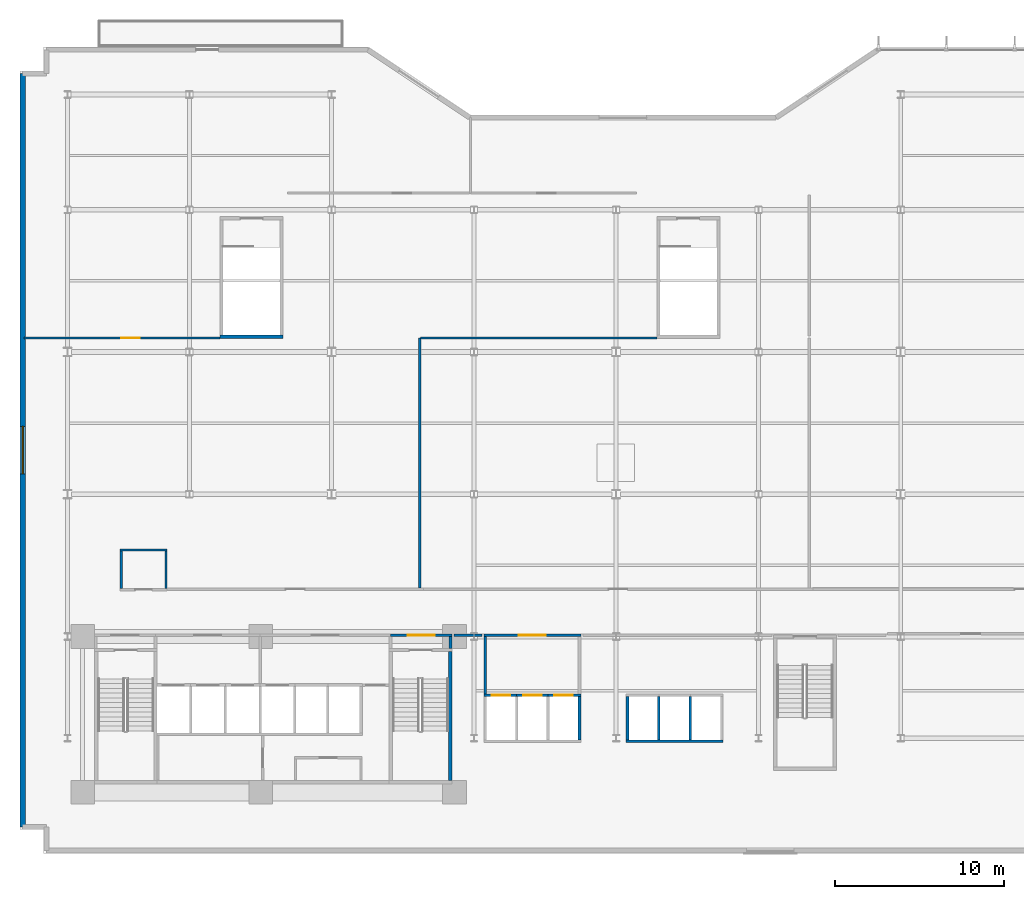
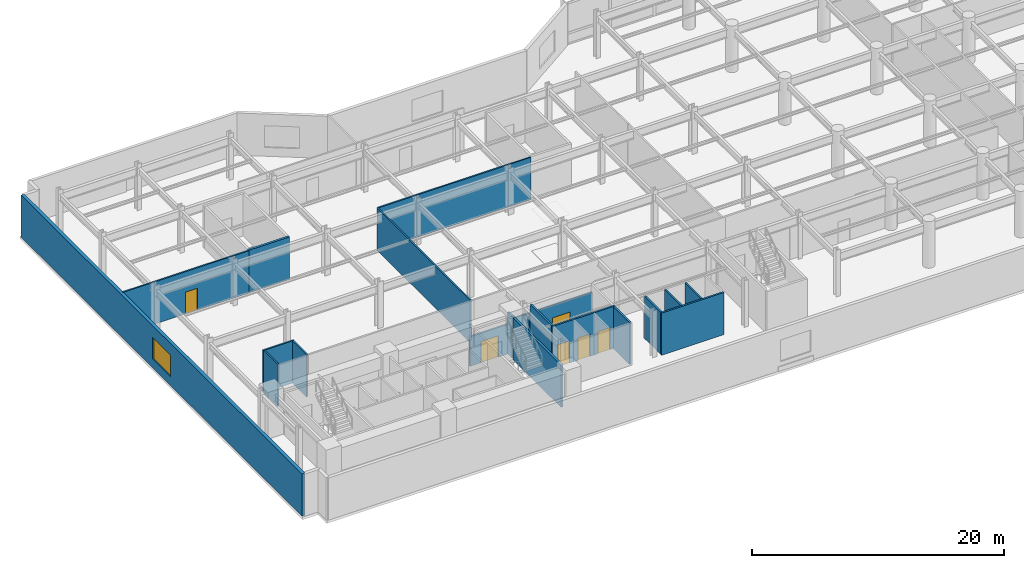
# One storey, part 15 of 23: 22 walls, 6 doors, 1 window, 7 openings.
"""IFC4 building model written with IfcOpenShell, lengths in metres."""

from ifc_helpers import new_model, si_unit, direction, frame, frame_2d, origin, place, context, subcontext, project, spatial, rectangle, extrude, material, layer, layer_set, type_object, element, fill, save


model = new_model("IFC4")

# Units and contexts
model_context = context("Model", 3, precision=1e-05, world=origin(), true_north=direction((0.0, 1.0)))
body_context = subcontext(model_context, "Body", "Model", "MODEL_VIEW")
ifc_project = project(units=[si_unit("LENGTHUNIT", "METRE"), si_unit("AREAUNIT", "SQUARE_METRE"), si_unit("VOLUMEUNIT", "CUBIC_METRE"), si_unit("PLANEANGLEUNIT", "RADIAN"), si_unit("MASSUNIT", "GRAM", prefix="KILO")], contexts=[model_context])

# Site, building, storey
site_placement = place(None, origin())
site = spatial("IfcSite", under=ifc_project, at=site_placement, CompositionType="ELEMENT")
building_placement = place(site_placement, origin())
building = spatial("IfcBuilding", under=site, at=building_placement, Name="Varnakote Quay Hospital", CompositionType="ELEMENT")
storey_placement = place(building_placement, frame((0.0, 0.0, 18.0)))
storey = spatial("IfcBuildingStorey", under=building, at=storey_placement, Name="L04", CompositionType="ELEMENT", Elevation=18.0)

# Wall, opening, door
ifc_material_1 = material(Name="Fire-rated acoustic gypsum stud wall", Category="gypsum")
ifc_layer_1 = layer(ifc_material_1, 0.159912109375)
ifc_layer_set_1 = layer_set([ifc_layer_1], Name="Fire-rated acoustic gypsum stud wall")
wall_type_1 = type_object("IfcWallType", Name="WL-COMP-160", PredefinedType="PARTITIONING", material=ifc_layer_set_1)
wall_1_placement = place(storey_placement, frame((20.280029296875, 12.080078125, 0.0), z_axis=(0.0, 0.0, 1.0), x_axis=(1.0, 0.0, 0.0)))
wall_1 = element("IfcWall", 1, at=wall_1_placement, inside=storey, type_object=wall_type_1, Name="L04 East Stair Vestibule Smoke Wall", PredefinedType="PARTITIONING", context=body_context, shape_type="SweptSolid", body=[
    extrude(rectangle(XDim=3.619873046875, YDim=0.159912109375, at=frame_2d((1.81005859375, 0.0))), origin(), (0.0, 0.0, 1.0), 2.85498046875),
])
opening_1_placement = place(wall_1_placement, frame((1.010009765625, 0.0, 0.0)))
opening_1 = element("IfcOpeningElement", 2, at=opening_1_placement, cuts=wall_1, Name="Opening D-ST2L-L04", PredefinedType="OPENING", context=body_context, shape_type="SweptSolid", body=[
    extrude(rectangle(XDim=1.60009765625, YDim=2.050048828125, at=frame_2d((0.800048828125, 1.02490234375))), frame((0.0, 0.08984375, 0.0), z_axis=(0.0, -1.0, 0.0), x_axis=(1.0, 0.0, 0.0)), (0.0, 0.0, 1.0), 0.179931640625),
])
ifc_material_2 = material(Name="Fire-rated double smoke lobby door")
door_type_1 = type_object("IfcDoorType", Name="DR-LOBBY-FD60S-1600x2150", OperationType="NOTDEFINED", PredefinedType="DOOR", material=ifc_material_2)
door_1_placement = place(opening_1_placement, origin())
door_1 = element("IfcDoor", 3, at=door_1_placement, inside=storey, type_object=door_type_1, Name="L04 East Stair Vestibule Smoke Door", OperationType="DOUBLE_DOOR_SINGLE_SWING", OverallHeight=2.050048828125, OverallWidth=1.60009765625, PredefinedType="DOOR", context=body_context, shape_type="SweptSolid", body=[
    extrude(rectangle(XDim=1.60009765625, YDim=2.050048828125, at=frame_2d((0.800048828125, 1.02490234375))), frame((0.0, 0.02490234375, 0.0), z_axis=(0.0, -1.0, 0.0), x_axis=(1.0, 0.0, 0.0)), (0.0, 0.0, 1.0), 0.050048828125),
])
fill(opening_1, door_1)

# Walls
wall_2_placement = place(storey_placement, frame((23.820068359375, 11.300048828125, 0.0), z_axis=(0.0, 0.0, 1.0), x_axis=(0.0, 1.0, 0.0)))
element("IfcWall", 4, at=wall_2_placement, inside=storey, type_object=wall_type_1, Name="L04 East Stair Vestibule East Wall", PredefinedType="PARTITIONING", context=body_context, shape_type="SweptSolid", body=[
    extrude(rectangle(XDim=0.699951171875, YDim=0.159912109375, at=frame_2d((0.35009765625, 0.0))), origin(), (0.0, 0.0, 1.0), 4.080078125),
])
wall_3_placement = place(storey_placement, frame((25.8701171875, 8.610107421875, 0.0), z_axis=(0.0, 0.0, 1.0), x_axis=(0.0, 1.0, 0.0)))
element("IfcWall", 5, at=wall_3_placement, inside=storey, type_object=wall_type_1, Name="L04 Low-Rise Lift Lobby West Wall", PredefinedType="PARTITIONING", context=body_context, shape_type="SweptSolid", body=[
    extrude(rectangle(XDim=3.389892578125, YDim=0.159912109375, at=frame_2d((1.69482421875, 0.0))), origin(), (0.0, 0.0, 1.0), 4.080078125),
])

# Wall, opening, door
wall_4_placement = place(storey_placement, frame((25.7900390625, 12.080078125, 0.0), z_axis=(0.0, 0.0, 1.0), x_axis=(1.0, 0.0, 0.0)))
wall_4 = element("IfcWall", 6, at=wall_4_placement, inside=storey, type_object=wall_type_1, Name="L04 Low-Rise Lift Lobby North Wall", PredefinedType="PARTITIONING", context=body_context, shape_type="SweptSolid", body=[
    extrude(rectangle(XDim=5.719970703125, YDim=0.159912109375, at=frame_2d((2.85986328125, 0.0))), origin(), (0.0, 0.0, 1.0), 3.2548828125),
])
opening_2_placement = place(wall_4_placement, frame((2.06005859375, 0.0, 0.0)))
opening_2 = element("IfcOpeningElement", 7, at=opening_2_placement, cuts=wall_4, Name="Opening D-PLL-L04", PredefinedType="OPENING", context=body_context, shape_type="SweptSolid", body=[
    extrude(rectangle(XDim=1.60009765625, YDim=2.050048828125, at=frame_2d((0.800048828125, 1.02490234375))), frame((0.0, 0.08984375, 0.0), z_axis=(0.0, -1.0, 0.0), x_axis=(1.0, 0.0, 0.0)), (0.0, 0.0, 1.0), 0.179931640625),
])
door_2_placement = place(opening_2_placement, origin())
door_2 = element("IfcDoor", 8, at=door_2_placement, inside=storey, type_object=door_type_1, Name="L04 Low-Rise Passenger Concourse Vestibule Door", OperationType="DOUBLE_DOOR_SINGLE_SWING", OverallHeight=2.050048828125, OverallWidth=1.60009765625, PredefinedType="DOOR", context=body_context, shape_type="SweptSolid", body=[
    extrude(rectangle(XDim=1.60009765625, YDim=2.050048828125, at=frame_2d((0.800048828125, 1.02490234375))), frame((0.0, 0.02490234375, 0.0), z_axis=(0.0, -1.0, 0.0), x_axis=(1.0, 0.0, 0.0)), (0.0, 0.0, 1.0), 0.050048828125),
])
fill(opening_2, door_2)

# Wall
wall_5_placement = place(storey_placement, frame((24.02001953125, 12.080078125, 0.0), z_axis=(0.0, 0.0, 1.0), x_axis=(1.0, 0.0, 0.0)))
element("IfcWall", 9, at=wall_5_placement, inside=storey, type_object=wall_type_1, Name="L04 Corridor South Gap Wall", PredefinedType="PARTITIONING", context=body_context, shape_type="SweptSolid", body=[
    extrude(rectangle(XDim=1.64990234375, YDim=0.159912109375, at=frame_2d((0.824951171875, 0.0))), origin(), (0.0, 0.0, 1.0), 3.2548828125),
])

# Wall, opening, window
ifc_material_3 = material(Name="Precast concrete N50 (f'c 50 MPa)", Category="concrete")
ifc_layer_2 = layer(ifc_material_3, 0.300048828125)
ifc_layer_set_2 = layer_set([ifc_layer_2], Name="Precast concrete N50 (f'c 50 MPa)")
wall_type_2 = type_object("IfcWallType", Name="WL-EXT-BRICK-300", PredefinedType="STANDARD", material=ifc_layer_set_2)
wall_6_placement = place(storey_placement, frame((-1.43994140625, 45.239990234375, 0.0), z_axis=(0.0, 0.0, 1.0), x_axis=(0.0, -1.0, 0.0)))
wall_6 = element("IfcWall", 10, at=wall_6_placement, inside=storey, type_object=wall_type_2, Name="L04 Brick-Faced Precast Exterior Wall", PredefinedType="STANDARD", context=body_context, shape_type="SweptSolid", body=[
    extrude(rectangle(XDim=44.47998046875, YDim=0.300048828125, at=frame_2d((22.239990234375, 0.0))), origin(), (0.0, 0.0, 1.0), 4.080078125),
])
opening_3_placement = place(wall_6_placement, frame((20.840087890625, 0.0, 0.85009765625)))
opening_3 = element("IfcOpeningElement", 11, at=opening_3_placement, cuts=wall_6, Name="Opening WN-0029", PredefinedType="OPENING", context=body_context, shape_type="SweptSolid", body=[
    extrude(rectangle(XDim=2.800048828125, YDim=2.10009765625, at=frame_2d((1.39990234375, 1.050048828125))), frame((0.0, 0.159912109375, 0.0), z_axis=(0.0, -1.0, 0.0), x_axis=(1.0, 0.0, 0.0)), (0.0, 0.0, 1.0), 0.320068359375),
])
ifc_material_4 = material(Name="Double-glazed acoustic laminated glass", Category="glass")
window_type = type_object("IfcWindowType", Name="WIN-POD-2800x2100", PartitioningType="SINGLE_PANEL", PredefinedType="WINDOW", material=ifc_material_4)
window_placement = place(opening_3_placement, origin())
window = element("IfcWindow", 12, at=window_placement, inside=storey, type_object=window_type, Name="L04 Solar-Control Clinical Window", OverallHeight=2.10009765625, OverallWidth=2.800048828125, PartitioningType="SINGLE_PANEL", PredefinedType="WINDOW", context=body_context, shape_type="SweptSolid", body=[
    extrude(rectangle(XDim=2.800048828125, YDim=2.10009765625, at=frame_2d((1.39990234375, 1.050048828125))), frame((0.0, 0.030029296875, 0.0), z_axis=(0.0, -1.0, 0.0), x_axis=(1.0, 0.0, 0.0)), (0.0, 0.0, 1.0), 0.06005859375),
])
fill(opening_3, window)

# Walls
ifc_material_5 = material(Name="Concrete N50 (f'c 50 MPa)", Category="concrete")
ifc_layer_3 = layer(ifc_material_5, 0.14990234375)
ifc_layer_set_3 = layer_set([ifc_layer_3], Name="Concrete N50 (f'c 50 MPa)")
wall_type_3 = type_object("IfcWallType", Name="WL-SHAFT-N50-150", PredefinedType="SHEAR", material=ifc_layer_set_3)
for number, where, z_axis, x_axis, name in (
    (13, (36.125, 5.89990234375, 0.0), (0.0, 0.0, 1.0), (0.0, 1.0, 0.0), "L04 LF-PM1 Hoistway Divider Wall"),
    (14, (37.97509765625, 5.89990234375, 0.0), (0.0, 0.0, 1.0), (0.0, 1.0, 0.0), "L04 LF-PM2 Hoistway Divider Wall"),
):
    element("IfcWall", number, at=place(storey_placement, frame(where, z_axis=z_axis, x_axis=x_axis)), inside=storey, type_object=wall_type_3, Name=name, PredefinedType="SHEAR", context=body_context, shape_type="SweptSolid", body=[
        extrude(rectangle(XDim=2.550048828125, YDim=0.14990234375, at=frame_2d((1.27490234375, 0.0))), origin(), (0.0, 0.0, 1.0), 4.080078125),
    ])
ifc_material_6 = material(Name="Concrete N50 (f'c 50 MPa)", Category="concrete")
ifc_layer_4 = layer(ifc_material_6, 0.159912109375)
ifc_layer_set_4 = layer_set([ifc_layer_4], Name="Concrete N50 (f'c 50 MPa)")
wall_type_4 = type_object("IfcWallType", Name="WL-SHAFT-N50-160", PredefinedType="SHEAR", material=ifc_layer_set_4)
wall_7_placement = place(storey_placement, frame((31.429931640625, 5.89990234375, 0.0), z_axis=(0.0, 0.0, 1.0), x_axis=(0.0, 1.0, 0.0)))
element("IfcWall", 15, at=wall_7_placement, inside=storey, type_object=wall_type_4, Name="L04 LOW Lift Bank East Shear Wall", PredefinedType="SHEAR", context=body_context, shape_type="SweptSolid", body=[
    extrude(rectangle(XDim=2.550048828125, YDim=0.159912109375, at=frame_2d((1.27490234375, 0.0))), origin(), (0.0, 0.0, 1.0), 4.080078125),
])

# Wall, opening, door
wall_8_placement = place(storey_placement, frame((25.7900390625, 8.530029296875, 0.0), z_axis=(0.0, 0.0, 1.0), x_axis=(1.0, 0.0, 0.0)))
wall_8 = element("IfcWall", 16, at=wall_8_placement, inside=storey, type_object=wall_type_4, Name="L04 LF-PL1 Hoistway Front Wall", PredefinedType="SHEAR", context=body_context, shape_type="SweptSolid", body=[
    extrude(rectangle(XDim=1.93505859375, YDim=0.159912109375, at=frame_2d((0.967529296875, 0.0))), origin(), (0.0, 0.0, 1.0), 4.080078125),
])
opening_4_placement = place(wall_8_placement, frame((0.4599609375, 0.0, 0.0)))
opening_4 = element("IfcOpeningElement", 17, at=opening_4_placement, cuts=wall_8, Name="Opening LD-PL1-L04", PredefinedType="OPENING", context=body_context, shape_type="SweptSolid", body=[
    extrude(rectangle(XDim=1.10009765625, YDim=2.14990234375, at=frame_2d((0.550048828125, 1.074951171875))), frame((0.0, 0.08984375, 0.0), z_axis=(0.0, -1.0, 0.0), x_axis=(1.0, 0.0, 0.0)), (0.0, 0.0, 1.0), 0.179931640625),
])
ifc_material_7 = material(Name="Brushed bronze lift landing sliding door")
door_type_2 = type_object("IfcDoorType", Name="DR-LIFT-LD-1100x2150", OperationType="NOTDEFINED", PredefinedType="DOOR", material=ifc_material_7)
door_3_placement = place(opening_4_placement, origin())
door_3 = element("IfcDoor", 18, at=door_3_placement, inside=storey, type_object=door_type_2, Name="L04 LF-PL1 Lift Landing Sliding Door", OperationType="SLIDING_TO_LEFT", OverallHeight=2.14990234375, OverallWidth=1.10009765625, PredefinedType="DOOR", context=body_context, shape_type="SweptSolid", body=[
    extrude(rectangle(XDim=1.10009765625, YDim=2.14990234375, at=frame_2d((0.550048828125, 1.074951171875))), frame((0.0, 0.02490234375, 0.0), z_axis=(0.0, -1.0, 0.0), x_axis=(1.0, 0.0, 0.0)), (0.0, 0.0, 1.0), 0.050048828125),
])
fill(opening_4, door_3)

wall_9_placement = place(storey_placement, frame((27.72509765625, 8.530029296875, 0.0), z_axis=(0.0, 0.0, 1.0), x_axis=(1.0, 0.0, 0.0)))
wall_9 = element("IfcWall", 19, at=wall_9_placement, inside=storey, type_object=wall_type_4, Name="L04 LF-PL2 Hoistway Front Wall", PredefinedType="SHEAR", context=body_context, shape_type="SweptSolid", body=[
    extrude(rectangle(XDim=1.849853515625, YDim=0.159912109375, at=frame_2d((0.9248046875, 0.0))), origin(), (0.0, 0.0, 1.0), 4.080078125),
])
opening_5_placement = place(wall_9_placement, frame((0.375, 0.0, 0.0)))
opening_5 = element("IfcOpeningElement", 20, at=opening_5_placement, cuts=wall_9, Name="Opening LD-PL2-L04", PredefinedType="OPENING", context=body_context, shape_type="SweptSolid", body=[
    extrude(rectangle(XDim=1.10009765625, YDim=2.14990234375, at=frame_2d((0.550048828125, 1.074951171875))), frame((0.0, 0.08984375, 0.0), z_axis=(0.0, -1.0, 0.0), x_axis=(1.0, 0.0, 0.0)), (0.0, 0.0, 1.0), 0.179931640625),
])
door_4_placement = place(opening_5_placement, origin())
door_4 = element("IfcDoor", 21, at=door_4_placement, inside=storey, type_object=door_type_2, Name="L04 LF-PL2 Lift Landing Sliding Door", OperationType="SLIDING_TO_LEFT", OverallHeight=2.14990234375, OverallWidth=1.10009765625, PredefinedType="DOOR", context=body_context, shape_type="SweptSolid", body=[
    extrude(rectangle(XDim=1.10009765625, YDim=2.14990234375, at=frame_2d((0.550048828125, 1.074951171875))), frame((0.0, 0.02490234375, 0.0), z_axis=(0.0, -1.0, 0.0), x_axis=(1.0, 0.0, 0.0)), (0.0, 0.0, 1.0), 0.050048828125),
])
fill(opening_5, door_4)

wall_10_placement = place(storey_placement, frame((29.574951171875, 8.530029296875, 0.0), z_axis=(0.0, 0.0, 1.0), x_axis=(1.0, 0.0, 0.0)))
wall_10 = element("IfcWall", 22, at=wall_10_placement, inside=storey, type_object=wall_type_4, Name="L04 LF-PL3 Hoistway Front Wall", PredefinedType="SHEAR", context=body_context, shape_type="SweptSolid", body=[
    extrude(rectangle(XDim=1.93505859375, YDim=0.159912109375, at=frame_2d((0.967529296875, 0.0))), origin(), (0.0, 0.0, 1.0), 4.080078125),
])
opening_6_placement = place(wall_10_placement, frame((0.375, 0.0, 0.0)))
opening_6 = element("IfcOpeningElement", 23, at=opening_6_placement, cuts=wall_10, Name="Opening LD-PL3-L04", PredefinedType="OPENING", context=body_context, shape_type="SweptSolid", body=[
    extrude(rectangle(XDim=1.10009765625, YDim=2.14990234375, at=frame_2d((0.550048828125, 1.074951171875))), frame((0.0, 0.08984375, 0.0), z_axis=(0.0, -1.0, 0.0), x_axis=(1.0, 0.0, 0.0)), (0.0, 0.0, 1.0), 0.179931640625),
])
door_5_placement = place(opening_6_placement, origin())
door_5 = element("IfcDoor", 24, at=door_5_placement, inside=storey, type_object=door_type_2, Name="L04 LF-PL3 Lift Landing Sliding Door", OperationType="SLIDING_TO_LEFT", OverallHeight=2.14990234375, OverallWidth=1.10009765625, PredefinedType="DOOR", context=body_context, shape_type="SweptSolid", body=[
    extrude(rectangle(XDim=1.10009765625, YDim=2.14990234375, at=frame_2d((0.550048828125, 1.074951171875))), frame((0.0, 0.02490234375, 0.0), z_axis=(0.0, -1.0, 0.0), x_axis=(1.0, 0.0, 0.0)), (0.0, 0.0, 1.0), 0.050048828125),
])
fill(opening_6, door_5)

# Walls
wall_11_placement = place(storey_placement, frame((34.18994140625, 5.820068359375, 0.0), z_axis=(0.0, 0.0, 1.0), x_axis=(1.0, 0.0, 0.0)))
element("IfcWall", 25, at=wall_11_placement, inside=storey, type_object=wall_type_4, Name="L04 MID Lift Bank Back Shear Wall", PredefinedType="SHEAR", context=body_context, shape_type="SweptSolid", body=[
    extrude(rectangle(XDim=5.719970703125, YDim=0.159912109375, at=frame_2d((2.85986328125, 0.0))), origin(), (0.0, 0.0, 1.0), 4.080078125),
])
wall_12_placement = place(storey_placement, frame((34.27001953125, 5.89990234375, 0.0), z_axis=(0.0, 0.0, 1.0), x_axis=(0.0, 1.0, 0.0)))
element("IfcWall", 26, at=wall_12_placement, inside=storey, type_object=wall_type_4, Name="L04 MID Lift Bank West Shear Wall", PredefinedType="SHEAR", context=body_context, shape_type="SweptSolid", body=[
    extrude(rectangle(XDim=2.550048828125, YDim=0.159912109375, at=frame_2d((1.27490234375, 0.0))), origin(), (0.0, 0.0, 1.0), 4.080078125),
])
ifc_material_8 = material(Name="Concrete N50 (f'c 50 MPa)", Category="concrete")
ifc_layer_5 = layer(ifc_material_8, 0.199951171875)
ifc_layer_set_5 = layer_set([ifc_layer_5], Name="Concrete N50 (f'c 50 MPa)")
wall_type_5 = type_object("IfcWallType", Name="WL-SHAFT-N50-200", PredefinedType="SHEAR", material=ifc_layer_set_5)
wall_13_placement = place(storey_placement, frame((23.800048828125, 3.5, 0.0), z_axis=(0.0, 0.0, 1.0), x_axis=(0.0, 1.0, 0.0)))
element("IfcWall", 27, at=wall_13_placement, inside=storey, type_object=wall_type_5, Name="L04 Stair ST2 East Shaft Wall", PredefinedType="SHEAR", context=body_context, shape_type="SweptSolid", body=[
    extrude(rectangle(XDim=7.60009765625, YDim=0.199951171875, at=frame_2d((3.800048828125, 0.0))), origin(), (0.0, 0.0, 1.0), 4.080078125),
])
wall_14_placement = place(storey_placement, frame((10.199951171875, 29.699951171875, 0.0), z_axis=(0.0, 0.0, 1.0), x_axis=(1.0, 0.0, 0.0)))
element("IfcWall", 28, at=wall_14_placement, inside=storey, type_object=wall_type_5, Name="L04 Stair ST4 South Shaft Wall", PredefinedType="SHEAR", context=body_context, shape_type="SweptSolid", body=[
    extrude(rectangle(XDim=3.739990234375, YDim=0.199951171875, at=frame_2d((1.8701171875, 0.0))), origin(), (0.0, 0.0, 1.0), 4.080078125),
])
ifc_material_9 = material(Name="Smoke-proof clinical partition", Category="gypsum")
ifc_layer_6 = layer(ifc_material_9, 0.135009765625)
ifc_layer_set_6 = layer_set([ifc_layer_6], Name="Smoke-proof clinical partition")
wall_type_6 = type_object("IfcWallType", Name="WL-SMOKE-135", PredefinedType="PARTITIONING", material=ifc_layer_set_6)
wall_15_placement = place(storey_placement, frame((22.0, 14.864990234375, 0.0), z_axis=(0.0, 0.0, 1.0), x_axis=(0.0, 1.0, 0.0)))
element("IfcWall", 29, at=wall_15_placement, inside=storey, type_object=wall_type_6, Name="L04 Clinical Interior Partition", PredefinedType="PARTITIONING", context=body_context, shape_type="SweptSolid", body=[
    extrude(rectangle(XDim=14.755126953125, YDim=0.135009765625, at=frame_2d((7.37744140625, 0.0))), origin(), (0.0, 0.0, 1.0), 4.080078125),
])

# Wall, opening, door
wall_16_placement = place(storey_placement, frame((10.199951171875, 29.6201171875, 0.0), z_axis=(0.0, 0.0, 1.0), x_axis=(-1.0, 0.0, 0.0)))
wall_16 = element("IfcWall", 30, at=wall_16_placement, inside=storey, type_object=wall_type_6, Name="L04 Clinical Interior Partition", PredefinedType="PARTITIONING", context=body_context, shape_type="SweptSolid", body=[
    extrude(rectangle(XDim=11.550048828125, YDim=0.135009765625, at=frame_2d((5.77490234375, 0.0))), origin(), (0.0, 0.0, 1.0), 4.080078125),
])
opening_7_placement = place(wall_16_placement, frame((4.722412109375, 0.0, 0.0)))
opening_7 = element("IfcOpeningElement", 31, at=opening_7_placement, cuts=wall_16, Name="Opening D-L04-ICUW", PredefinedType="OPENING", context=body_context, shape_type="SweptSolid", body=[
    extrude(rectangle(XDim=1.10009765625, YDim=2.10009765625, at=frame_2d((0.550048828125, 1.050048828125))), frame((0.0, 0.077392578125, 0.0), z_axis=(0.0, -1.0, 0.0), x_axis=(1.0, 0.0, 0.0)), (0.0, 0.0, 1.0), 0.155029296875),
])
ifc_material_10 = material(Name="Acoustic timber clinical consult door", Category="wood")
door_type_3 = type_object("IfcDoorType", Name="DR-CLIN-FD30S-1100x2100", OperationType="NOTDEFINED", PredefinedType="DOOR", material=ifc_material_10)
door_6_placement = place(opening_7_placement, origin())
door_6 = element("IfcDoor", 32, at=door_6_placement, inside=storey, type_object=door_type_3, Name="L04 Intensive Care Family Consultation Office Door", OperationType="SINGLE_SWING_RIGHT", OverallHeight=2.10009765625, OverallWidth=1.10009765625, PredefinedType="DOOR", context=body_context, shape_type="SweptSolid", body=[
    extrude(rectangle(XDim=1.10009765625, YDim=2.10009765625, at=frame_2d((0.550048828125, 1.050048828125))), frame((0.0, 0.02490234375, 0.0), z_axis=(0.0, -1.0, 0.0), x_axis=(1.0, 0.0, 0.0)), (0.0, 0.0, 1.0), 0.050048828125),
])
fill(opening_7, door_6)

# Walls
wall_17_placement = place(storey_placement, frame((35.998046875, 29.6201171875, 0.0), z_axis=(0.0, 0.0, 1.0), x_axis=(-1.0, 0.0, 0.0)))
element("IfcWall", 33, at=wall_17_placement, inside=storey, type_object=wall_type_6, Name="L04 Clinical Interior Partition", PredefinedType="PARTITIONING", context=body_context, shape_type="SweptSolid", body=[
    extrude(rectangle(XDim=13.9404296875, YDim=0.135009765625, at=frame_2d((6.97021484375, 0.0))), origin(), (0.0, 0.0, 1.0), 4.080078125),
])
ifc_material_11 = material(Name="Fire-rated clinical gypsum partition", Category="gypsum")
ifc_layer_7 = layer(ifc_material_11, 0.139892578125)
ifc_layer_set_7 = layer_set([ifc_layer_7], Name="Fire-rated clinical gypsum partition")
wall_type_7 = type_object("IfcWallType", Name="WL-WARD-140", PredefinedType="PARTITIONING", material=ifc_layer_set_7)
wall_18_placement = place(storey_placement, frame((4.31005859375, 17.110107421875, 0.0), z_axis=(0.0, 0.0, 1.0), x_axis=(1.0, 0.0, 0.0)))
element("IfcWall", 34, at=wall_18_placement, inside=storey, type_object=wall_type_7, Name="L04 Floor Unisex Accessible WC N Wall", PredefinedType="PARTITIONING", context=body_context, shape_type="SweptSolid", body=[
    extrude(rectangle(XDim=2.780029296875, YDim=0.139892578125, at=frame_2d((1.39013671875, 0.0))), origin(), (0.0, 0.0, 1.0), 4.080078125),
])
for number, where, z_axis, x_axis, name in (
    (35, (4.3798828125, 14.840087890625, 0.0), (0.0, 0.0, 1.0), (0.0, 1.0, 0.0), "L04 Floor Unisex Accessible WC W Wall"),
    (36, (7.02001953125, 14.840087890625, 0.0), (0.0, 0.0, 1.0), (0.0, 1.0, 0.0), "L04 Floor Unisex Accessible WC E Wall"),
):
    element("IfcWall", number, at=place(storey_placement, frame(where, z_axis=z_axis, x_axis=x_axis)), inside=storey, type_object=wall_type_7, Name=name, PredefinedType="PARTITIONING", context=body_context, shape_type="SweptSolid", body=[
        extrude(rectangle(XDim=2.199951171875, YDim=0.139892578125, at=frame_2d((1.10009765625, 0.0))), origin(), (0.0, 0.0, 1.0), 4.080078125),
    ])

save(model, "model.ifc")
